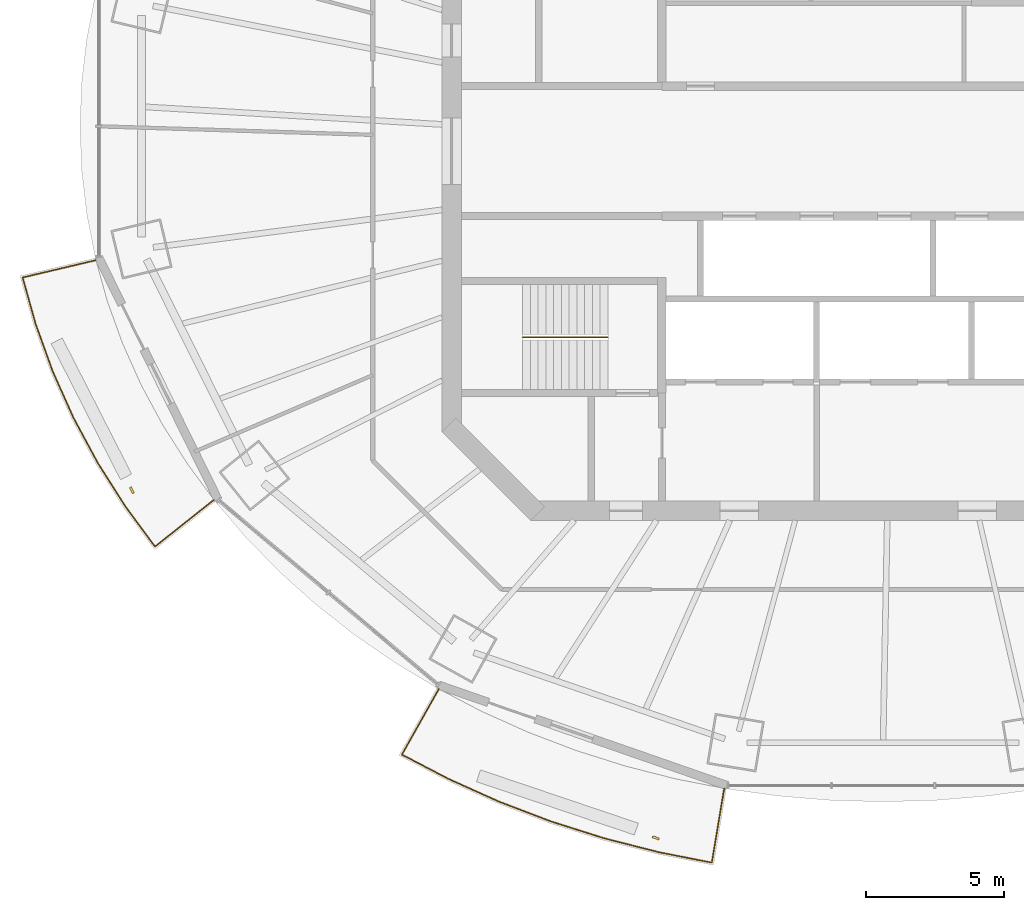
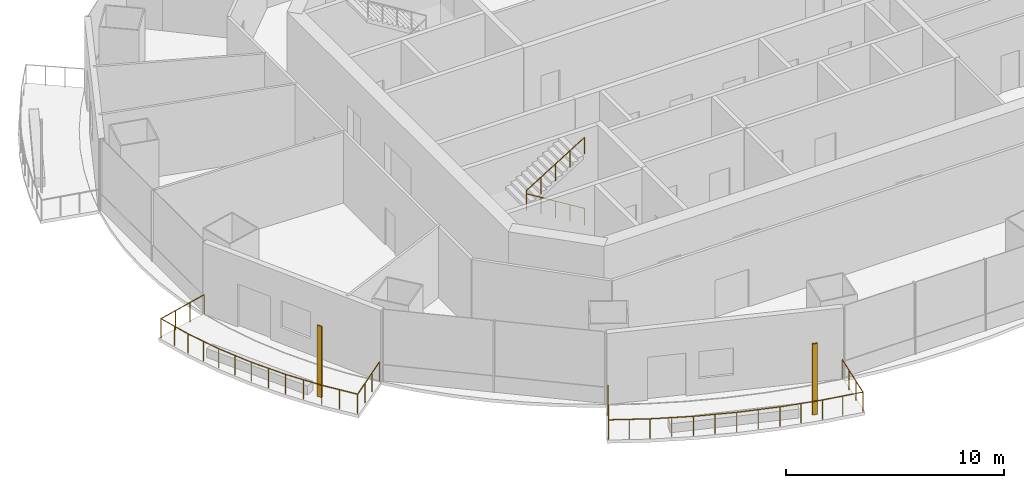
# One storey, part 12 of 16: 3 railings, 2 shading devices.
"""IFC4 building model written with IfcOpenShell, lengths in metres."""

from ifc_helpers import new_model, si_unit, direction, frame, origin, origin_2d, place, context, subcontext, project, spatial, rectangle, circle, extrude, material, material_profile, profile_set, type_object, element, save


model = new_model("IFC4")

# Units and contexts
model_context = context("Model", 3, precision=1e-05, world=origin(), true_north=direction((0.0, 1.0)))
body_context = subcontext(model_context, "Body", "Model", "MODEL_VIEW")
ifc_project = project(units=[si_unit("LENGTHUNIT", "METRE"), si_unit("AREAUNIT", "SQUARE_METRE"), si_unit("VOLUMEUNIT", "CUBIC_METRE"), si_unit("PLANEANGLEUNIT", "RADIAN"), si_unit("MASSUNIT", "GRAM", prefix="KILO")], contexts=[model_context])

# Site, building, storey
site_placement = place(None, origin())
site = spatial("IfcSite", under=ifc_project, at=site_placement, CompositionType="ELEMENT")
building_placement = place(site_placement, origin())
building = spatial("IfcBuilding", under=site, at=building_placement, Name="Marenthal Gate Tower", CompositionType="ELEMENT")
storey_placement = place(building_placement, frame((0.0, 0.0, 288.64990234375)))
storey = spatial("IfcBuildingStorey", under=building, at=storey_placement, Name="L64", CompositionType="ELEMENT", Elevation=288.64990234375)

# Railings
ifc_material_1 = material(Name="Stainless steel", Category="steel")
railing_type_1 = type_object("IfcRailingType", Name="Balcony guard 1100", PredefinedType="GUARDRAIL", material=ifc_material_1)
railing_1_placement = place(storey_placement, frame((-24.593994140625, -12.60595703125, 0.0)))
element("IfcRailing", 1, at=railing_1_placement, inside=storey, type_object=railing_type_1, Name="Balcony guard L64 bay 9", PredefinedType="GUARDRAIL", context=body_context, shape_type="SweptSolid", body=[
    extrude(circle(Radius=0.02392578125, at=origin_2d()), frame((0.0, 0.0, 1.076171875), z_axis=(-0.783213412128, -0.621580851656, -0.01462859931), x_axis=(0.621647370214, -0.783297227817, 0.0)), (0.0, 0.0, 1.0), 2.720458984375),
    extrude(circle(Radius=0.02392578125, at=origin_2d()), frame((-2.130615234375, -1.69091796875, 1.0361328125), z_axis=(-0.593175870863, 0.805072907398, 0.0), x_axis=(-0.805072907398, -0.593175870863, 0.0)), (0.0, 0.0, 1.0), 1.79736328125),
    extrude(circle(Radius=0.02392578125, at=origin_2d()), frame((-3.19677734375, -0.243896484375, 1.0361328125), z_axis=(-0.536341470097, 0.844001082614, 0.0), x_axis=(-0.844001082614, -0.536341470097, 0.0)), (0.0, 0.0, 1.0), 1.864013671875),
    extrude(circle(Radius=0.02392578125, at=origin_2d()), frame((-4.196533203125, 1.329345703125, 1.0361328125), z_axis=(-0.474178476771, 0.880428743379, 0.0), x_axis=(-0.880428743379, -0.474178476771, 0.0)), (0.0, 0.0, 1.0), 1.85107421875),
    extrude(circle(Radius=0.02392578125, at=origin_2d()), frame((-5.07421875, 2.958984375, 1.0361328125), z_axis=(-0.408427160426, 0.912790915066, 0.0), x_axis=(-0.912790915066, -0.408427160426, 0.0)), (0.0, 0.0, 1.0), 1.83984375),
    extrude(circle(Radius=0.02392578125, at=origin_2d()), frame((-5.82568359375, 4.638427734375, 1.0361328125), z_axis=(-0.339224848664, 0.94070532158, 0.0), x_axis=(-0.94070532158, -0.339224848664, 0.0)), (0.0, 0.0, 1.0), 1.830322265625),
    extrude(circle(Radius=0.02392578125, at=origin_2d()), frame((-6.446533203125, 6.360107421875, 1.0361328125), z_axis=(-0.268792920524, 0.963197988929, 0.0), x_axis=(-0.963197988929, -0.268792920524, 0.0)), (0.0, 0.0, 1.0), 1.7421875),
    extrude(circle(Radius=0.02392578125, at=origin_2d()), frame((-6.914794921875, 8.0380859375, 1.0361328125), z_axis=(0.973118453647, 0.22984011434, 0.014628636719), x_axis=(-0.229864710837, 0.973222592582, 0.0)), (0.0, 0.0, 1.0), 2.720458984375),
    extrude(circle(Radius=0.02099609375, at=origin_2d()), origin(), (0.0, 0.0, 1.0), 1.052001953125),
    extrude(circle(Radius=0.02099609375, at=origin_2d()), frame((-0.710205078125, -0.563720703125, -0.01318359375)), (0.0, 0.0, 1.0), 1.052001953125),
    extrude(circle(Radius=0.02099609375, at=origin_2d()), frame((-1.42041015625, -1.127197265625, -0.026611328125)), (0.0, 0.0, 1.0), 1.052001953125),
    extrude(circle(Radius=0.02099609375, at=origin_2d()), frame((-2.130615234375, -1.69091796875, -0.039794921875)), (0.0, 0.0, 1.0), 1.052001953125),
    extrude(circle(Radius=0.02099609375, at=origin_2d()), frame((-2.66357421875, -0.96728515625, -0.039794921875)), (0.0, 0.0, 1.0), 1.052001953125),
    extrude(circle(Radius=0.02099609375, at=origin_2d()), frame((-3.19677734375, -0.243896484375, -0.039794921875)), (0.0, 0.0, 1.0), 1.052001953125),
    extrude(circle(Radius=0.02099609375, at=origin_2d()), frame((-3.69677734375, 0.542724609375, -0.039794921875)), (0.0, 0.0, 1.0), 1.052001953125),
    extrude(circle(Radius=0.02099609375, at=origin_2d()), frame((-4.196533203125, 1.329345703125, -0.039794921875)), (0.0, 0.0, 1.0), 1.052001953125),
    extrude(circle(Radius=0.02099609375, at=origin_2d()), frame((-4.63525390625, 2.14404296875, -0.039794921875)), (0.0, 0.0, 1.0), 1.052001953125),
    extrude(circle(Radius=0.02099609375, at=origin_2d()), frame((-5.07421875, 2.958984375, -0.039794921875)), (0.0, 0.0, 1.0), 1.052001953125),
    extrude(circle(Radius=0.02099609375, at=origin_2d()), frame((-5.449951171875, 3.798828125, -0.039794921875)), (0.0, 0.0, 1.0), 1.052001953125),
    extrude(circle(Radius=0.02099609375, at=origin_2d()), frame((-5.82568359375, 4.638427734375, -0.039794921875)), (0.0, 0.0, 1.0), 1.052001953125),
    extrude(circle(Radius=0.02099609375, at=origin_2d()), frame((-6.13623046875, 5.499267578125, -0.039794921875)), (0.0, 0.0, 1.0), 1.052001953125),
    extrude(circle(Radius=0.02099609375, at=origin_2d()), frame((-6.446533203125, 6.360107421875, -0.039794921875)), (0.0, 0.0, 1.0), 1.052001953125),
    extrude(circle(Radius=0.02099609375, at=origin_2d()), frame((-6.6806640625, 7.19921875, -0.039794921875)), (0.0, 0.0, 1.0), 1.052001953125),
    extrude(circle(Radius=0.02099609375, at=origin_2d()), frame((-6.914794921875, 8.0380859375, -0.039794921875)), (0.0, 0.0, 1.0), 1.052001953125),
    extrude(circle(Radius=0.02099609375, at=origin_2d()), frame((-6.032470703125, 8.24658203125, -0.026611328125)), (0.0, 0.0, 1.0), 1.052001953125),
    extrude(circle(Radius=0.02099609375, at=origin_2d()), frame((-5.14990234375, 8.454833984375, -0.01318359375)), (0.0, 0.0, 1.0), 1.052001953125),
    extrude(circle(Radius=0.02099609375, at=origin_2d()), frame((-4.267578125, 8.663330078125, 0.0)), (0.0, 0.0, 1.0), 1.052001953125),
])
railing_2_placement = place(storey_placement, frame((-6.143798828125, -23.04052734375, 0.0)))
element("IfcRailing", 2, at=railing_2_placement, inside=storey, type_object=railing_type_1, Name="Balcony guard L64 bay 11", PredefinedType="GUARDRAIL", context=body_context, shape_type="SweptSolid", body=[
    extrude(circle(Radius=0.02392578125, at=origin_2d()), frame((0.0, 0.0, 1.076171875), z_axis=(-0.165138148772, -0.986161944948, -0.014629086005), x_axis=(0.986267486225, -0.165155822229, 0.0)), (0.0, 0.0, 1.0), 2.72021484375),
    extrude(circle(Radius=0.02392578125, at=origin_2d()), frame((-0.44921875, -2.6826171875, 1.0361328125), z_axis=(-0.981099886126, 0.193501972712, 0.0), x_axis=(-0.193501972712, -0.981099886126, 0.0)), (0.0, 0.0, 1.0), 1.958251953125),
    extrude(circle(Radius=0.02392578125, at=origin_2d()), frame((-2.370361328125, -2.3037109375, 1.0361328125), z_axis=(-0.968956946338, 0.24722952118, 0.0), x_axis=(-0.24722952118, -0.968956946338, 0.0)), (0.0, 0.0, 1.0), 2.0302734375),
    extrude(circle(Radius=0.02392578125, at=origin_2d()), frame((-4.337646484375, -1.8017578125, 1.0361328125), z_axis=(-0.953335850503, 0.301911835054, 0.0), x_axis=(-0.301911835054, -0.953335850503, 0.0)), (0.0, 0.0, 1.0), 2.020751953125),
    extrude(circle(Radius=0.02392578125, at=origin_2d()), frame((-6.26416015625, -1.191650390625, 1.0361328125), z_axis=(-0.934433846475, 0.356136752614, 0.0), x_axis=(-0.356136752614, -0.934433846475, 0.0)), (0.0, 0.0, 1.0), 2.010009765625),
    extrude(circle(Radius=0.02392578125, at=origin_2d()), frame((-8.142333984375, -0.475830078125, 1.0361328125), z_axis=(-0.912054102505, 0.410069889293, 0.0), x_axis=(-0.410069889293, -0.912054102505, 0.0)), (0.0, 0.0, 1.0), 1.99755859375),
    extrude(circle(Radius=0.02392578125, at=origin_2d()), frame((-9.964111328125, 0.34326171875, 1.0361328125), z_axis=(-0.886708263063, 0.462329380654, 0.0), x_axis=(-0.462329380654, -0.886708263063, 0.0)), (0.0, 0.0, 1.0), 1.904296875),
    extrude(circle(Radius=0.02392578125, at=origin_2d()), frame((-11.652587890625, 1.2236328125, 1.0361328125), z_axis=(0.490217296888, 0.871477472132, 0.014629333466), x_axis=(-0.871570742774, 0.490269762825, 0.0)), (0.0, 0.0, 1.0), 2.72021484375),
    extrude(circle(Radius=0.02099609375, at=origin_2d()), origin(), (0.0, 0.0, 1.0), 1.052001953125),
    extrude(circle(Radius=0.02099609375, at=origin_2d()), frame((-0.149658203125, -0.894287109375, -0.01318359375)), (0.0, 0.0, 1.0), 1.052001953125),
    extrude(circle(Radius=0.02099609375, at=origin_2d()), frame((-0.299560546875, -1.788330078125, -0.026611328125)), (0.0, 0.0, 1.0), 1.052001953125),
    extrude(circle(Radius=0.02099609375, at=origin_2d()), frame((-0.44921875, -2.6826171875, -0.039794921875)), (0.0, 0.0, 1.0), 1.052001953125),
    extrude(circle(Radius=0.02099609375, at=origin_2d()), frame((-1.40966796875, -2.4931640625, -0.039794921875)), (0.0, 0.0, 1.0), 1.052001953125),
    extrude(circle(Radius=0.02099609375, at=origin_2d()), frame((-2.370361328125, -2.3037109375, -0.039794921875)), (0.0, 0.0, 1.0), 1.052001953125),
    extrude(circle(Radius=0.02099609375, at=origin_2d()), frame((-3.35400390625, -2.052734375, -0.039794921875)), (0.0, 0.0, 1.0), 1.052001953125),
    extrude(circle(Radius=0.02099609375, at=origin_2d()), frame((-4.337646484375, -1.8017578125, -0.039794921875)), (0.0, 0.0, 1.0), 1.052001953125),
    extrude(circle(Radius=0.02099609375, at=origin_2d()), frame((-5.30078125, -1.49658203125, -0.039794921875)), (0.0, 0.0, 1.0), 1.052001953125),
    extrude(circle(Radius=0.02099609375, at=origin_2d()), frame((-6.26416015625, -1.191650390625, -0.039794921875)), (0.0, 0.0, 1.0), 1.052001953125),
    extrude(circle(Radius=0.02099609375, at=origin_2d()), frame((-7.203125, -0.833740234375, -0.039794921875)), (0.0, 0.0, 1.0), 1.052001953125),
    extrude(circle(Radius=0.02099609375, at=origin_2d()), frame((-8.142333984375, -0.475830078125, -0.039794921875)), (0.0, 0.0, 1.0), 1.052001953125),
    extrude(circle(Radius=0.02099609375, at=origin_2d()), frame((-9.05322265625, -0.06640625, -0.039794921875)), (0.0, 0.0, 1.0), 1.052001953125),
    extrude(circle(Radius=0.02099609375, at=origin_2d()), frame((-9.964111328125, 0.34326171875, -0.039794921875)), (0.0, 0.0, 1.0), 1.052001953125),
    extrude(circle(Radius=0.02099609375, at=origin_2d()), frame((-10.808349609375, 0.783447265625, -0.039794921875)), (0.0, 0.0, 1.0), 1.052001953125),
    extrude(circle(Radius=0.02099609375, at=origin_2d()), frame((-11.652587890625, 1.2236328125, -0.039794921875)), (0.0, 0.0, 1.0), 1.052001953125),
    extrude(circle(Radius=0.02099609375, at=origin_2d()), frame((-11.2080078125, 2.013916015625, -0.026611328125)), (0.0, 0.0, 1.0), 1.052001953125),
    extrude(circle(Radius=0.02099609375, at=origin_2d()), frame((-10.763671875, 2.803955078125, -0.01318359375)), (0.0, 0.0, 1.0), 1.052001953125),
    extrude(circle(Radius=0.02099609375, at=origin_2d()), frame((-10.319091796875, 3.59423828125, 0.0)), (0.0, 0.0, 1.0), 1.052001953125),
])
ifc_material_2 = material(Name="Stainless steel", Category="steel")
railing_type_2 = type_object("IfcRailingType", Name="Stair handrail", PredefinedType="HANDRAIL", material=ifc_material_2)
railing_3_placement = place(storey_placement, frame((-10.35009765625, -6.72509765625, 0.173095703125)))
element("IfcRailing", 3, at=railing_3_placement, inside=storey, type_object=railing_type_2, Name="Handrail ST2", PredefinedType="HANDRAIL", context=body_context, shape_type="SweptSolid", body=[
    extrude(circle(Radius=0.0224609375, at=origin_2d()), frame((0.0, 0.0, 0.927490234375), z_axis=(-0.850816621229, 0.0, 0.525462726595), x_axis=(0.0, -1.0, 0.0)), (0.0, 0.0, 1.0), 3.619873046875),
    extrude(circle(Radius=0.0224609375, at=origin_2d()), frame((-3.079833984375, 0.0, 2.82958984375), z_axis=(0.0, 0.0, 1.0), x_axis=(1.0, 0.0, 0.0)), (0.0, 0.0, 1.0), 0.1728515625),
    extrude(circle(Radius=0.0224609375, at=origin_2d()), frame((-3.079833984375, 0.0, 3.00244140625), z_axis=(0.850816621229, 0.0, 0.525462726595), x_axis=(0.0, 1.0, 0.0)), (0.0, 0.0, 1.0), 3.619873046875),
    extrude(circle(Radius=0.02001953125, at=origin_2d()), origin(), (0.0, 0.0, 1.0), 0.905029296875),
    extrude(circle(Radius=0.02001953125, at=origin_2d()), frame((-0.77001953125, 0.0, 0.4755859375)), (0.0, 0.0, 1.0), 0.905029296875),
    extrude(circle(Radius=0.02001953125, at=origin_2d()), frame((-1.5400390625, 0.0, 0.951171875)), (0.0, 0.0, 1.0), 0.905029296875),
    extrude(circle(Radius=0.02001953125, at=origin_2d()), frame((-2.309814453125, 0.0, 1.426513671875)), (0.0, 0.0, 1.0), 0.905029296875),
    extrude(circle(Radius=0.02001953125, at=origin_2d()), frame((-3.079833984375, 0.0, 1.902099609375)), (0.0, 0.0, 1.0), 0.905029296875),
    extrude(circle(Radius=0.02001953125, at=origin_2d()), frame((-3.079833984375, 0.0, 2.074951171875)), (0.0, 0.0, 1.0), 0.905029296875),
    extrude(circle(Radius=0.02001953125, at=origin_2d()), frame((-2.309814453125, 0.0, 2.550537109375)), (0.0, 0.0, 1.0), 0.905029296875),
    extrude(circle(Radius=0.02001953125, at=origin_2d()), frame((-1.5400390625, 0.0, 3.02587890625)), (0.0, 0.0, 1.0), 0.905029296875),
    extrude(circle(Radius=0.02001953125, at=origin_2d()), frame((-0.77001953125, 0.0, 3.50146484375)), (0.0, 0.0, 1.0), 0.905029296875),
    extrude(circle(Radius=0.02001953125, at=origin_2d()), frame((0.0, 0.0, 3.97705078125)), (0.0, 0.0, 1.0), 0.905029296875),
])

# Shading devices
ifc_material_3 = material(Name="Terracotta", Category="masonry")
ifc_material_profile = material_profile(ifc_material_3, rectangle(XDim=0.25, YDim=0.080078125, at=origin_2d()), Name="Terracotta baguette 250x80")
ifc_profile_set = profile_set([ifc_material_profile], Name="Terracotta")
shading_device_type = type_object("IfcShadingDeviceType", Name="Terracotta BAGUETTE SCREEN 250x80", PredefinedType="USERDEFINED", material=ifc_profile_set)
for number, where, z_axis, x_axis, name in (
    (4, (-27.560546875, -12.257080078125, -0.039794921875), (0.0, 0.0, 1.0), (0.441711416968, -0.897157190307, 0.0), "Terracotta BAGUETTE L64 bay 9R"),
    (5, (-8.619140625, -24.828125, -0.039794921875), (0.0, 0.0, 1.0), (0.944304873933, -0.329071884345, 0.0), "Terracotta BAGUETTE L64 bay 11R"),
):
    element("IfcShadingDevice", number, at=place(storey_placement, frame(where, z_axis=z_axis, x_axis=x_axis)), inside=storey, type_object=shading_device_type, Name=name, ObjectType="BAGUETTE SCREEN", PredefinedType="USERDEFINED", context=body_context, shape_type="SweptSolid", body=[
        extrude(rectangle(XDim=0.25, YDim=0.080078125, at=origin_2d()), origin(), (0.0, 0.0, 1.0), 3.969970703125),
    ])

save(model, "model.ifc")
